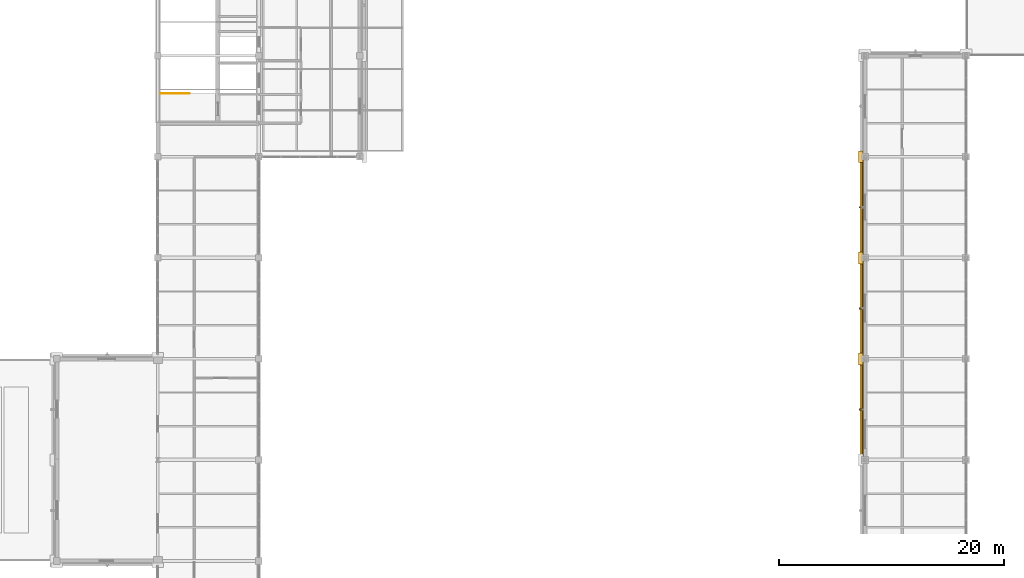
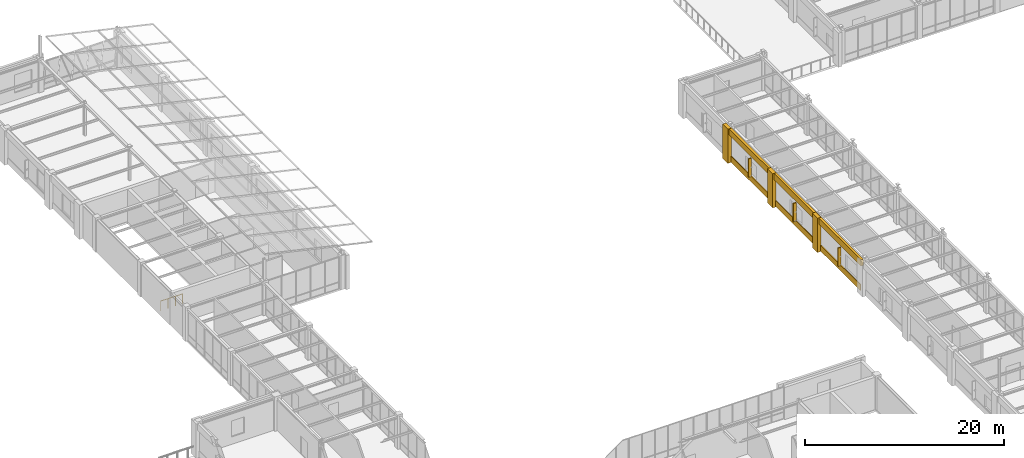
# One storey, part 95 of 97: 9 coverings, 3 shading devices, 1 railing.
"""IFC4 building model written with IfcOpenShell, lengths in metres."""

from ifc_helpers import new_model, si_unit, direction, frame, origin, origin_2d, place, context, subcontext, project, spatial, rectangle, circle, extrude, material, layer, layer_set, type_object, element, save


model = new_model("IFC4")

# Units and contexts
model_context = context("Model", 3, precision=1e-05, world=origin(), true_north=direction((0.0, 1.0)))
body_context = subcontext(model_context, "Body", "Model", "MODEL_VIEW")
ifc_project = project(units=[si_unit("LENGTHUNIT", "METRE"), si_unit("AREAUNIT", "SQUARE_METRE"), si_unit("VOLUMEUNIT", "CUBIC_METRE"), si_unit("PLANEANGLEUNIT", "RADIAN"), si_unit("MASSUNIT", "GRAM", prefix="KILO")], contexts=[model_context])

# Site, building, storey
site_placement = place(None, origin())
site = spatial("IfcSite", under=ifc_project, at=site_placement, CompositionType="ELEMENT")
building_placement = place(site_placement, origin())
building = spatial("IfcBuilding", under=site, at=building_placement, Name="Lykobir Media Centre", CompositionType="ELEMENT")
storey_placement = place(building_placement, frame((0.0, 0.0, 23.39990234375)))
storey = spatial("IfcBuildingStorey", under=building, at=storey_placement, Name="L05", CompositionType="ELEMENT", Elevation=23.39990234375)

# Coverings
ifc_material_1 = material(Name="Glazed Turquoise Terracotta", Category="masonry")
ifc_layer_1 = layer(ifc_material_1, 0.0400390625, Name="Glazed Turquoise Terracotta")
ifc_layer_set_1 = layer_set([ifc_layer_1], Name="Glazed Turquoise Terracotta")
covering_type_1 = type_object("IfcCoveringType", Name="CLD-TERR", PredefinedType="CLADDING", material=ifc_layer_set_1)
for number, where, z_axis, x_axis, name in (
    (1, (89.803955078125, 40.5, 0.080078125), (0.0, 0.0, 1.0), (0.0, -1.0, 0.0), "Facade spandrel apron 743"),
    (2, (89.803955078125, 49.5, 0.080078125), (0.0, 0.0, 1.0), (0.0, -1.0, 0.0), "Facade spandrel apron 746"),
    (3, (89.803955078125, 58.5, 0.080078125), (0.0, 0.0, 1.0), (0.0, -1.0, 0.0), "Facade spandrel apron 749"),
):
    element("IfcCovering", number, at=place(storey_placement, frame(where, z_axis=z_axis, x_axis=x_axis)), inside=storey, type_object=covering_type_1, Name=name, PredefinedType="CLADDING", context=body_context, shape_type="SweptSolid", body=[
        extrude(rectangle(XDim=8.030029296875, YDim=0.10009765625, at=origin_2d()), origin(), (0.0, 0.0, 1.0), 0.719970703125),
    ])
ifc_material_2 = material(Name="Honed Travertine Stone", Category="masonry")
ifc_layer_2 = layer(ifc_material_2, 0.050048828125, Name="Honed Travertine Stone")
ifc_layer_set_2 = layer_set([ifc_layer_2], Name="Honed Travertine Stone")
covering_type_2 = type_object("IfcCoveringType", Name="CLD-TRAV", PredefinedType="CLADDING", material=ifc_layer_set_2)
covering_1_placement = place(storey_placement, frame((89.6201171875, 45.0, 0.0), z_axis=(0.0, 0.0, 1.0), x_axis=(0.0, -1.0, 0.0)))
element("IfcCovering", 4, at=covering_1_placement, inside=storey, type_object=covering_type_2, Name="Travertine column pier 741", PredefinedType="CLADDING", context=body_context, shape_type="SweptSolid", body=[
    extrude(rectangle(XDim=1.06005859375, YDim=0.39990234375, at=origin_2d()), origin(), (0.0, 0.0, 1.0), 4.199951171875),
])
covering_2_placement = place(storey_placement, frame((89.699951171875, 40.5, 3.43994140625), z_axis=(0.0, 0.0, 1.0), x_axis=(0.0, -1.0, 0.0)))
element("IfcCovering", 5, at=covering_2_placement, inside=storey, type_object=covering_type_2, Name="Travertine spandrel stringcourse 742", PredefinedType="CLADDING", context=body_context, shape_type="SweptSolid", body=[
    extrude(rectangle(XDim=9.0, YDim=0.280029296875, at=origin_2d()), origin(), (0.0, 0.0, 1.0), 0.760009765625),
])
covering_3_placement = place(storey_placement, frame((89.6201171875, 54.0, 0.0), z_axis=(0.0, 0.0, 1.0), x_axis=(0.0, -1.0, 0.0)))
element("IfcCovering", 6, at=covering_3_placement, inside=storey, type_object=covering_type_2, Name="Travertine column pier 744", PredefinedType="CLADDING", context=body_context, shape_type="SweptSolid", body=[
    extrude(rectangle(XDim=1.06005859375, YDim=0.39990234375, at=origin_2d()), origin(), (0.0, 0.0, 1.0), 4.199951171875),
])
covering_4_placement = place(storey_placement, frame((89.699951171875, 49.5, 3.43994140625), z_axis=(0.0, 0.0, 1.0), x_axis=(0.0, -1.0, 0.0)))
element("IfcCovering", 7, at=covering_4_placement, inside=storey, type_object=covering_type_2, Name="Travertine spandrel stringcourse 745", PredefinedType="CLADDING", context=body_context, shape_type="SweptSolid", body=[
    extrude(rectangle(XDim=9.0, YDim=0.280029296875, at=origin_2d()), origin(), (0.0, 0.0, 1.0), 0.760009765625),
])
covering_5_placement = place(storey_placement, frame((89.6201171875, 63.0, 0.0), z_axis=(0.0, 0.0, 1.0), x_axis=(0.0, -1.0, 0.0)))
element("IfcCovering", 8, at=covering_5_placement, inside=storey, type_object=covering_type_2, Name="Travertine column pier 747", PredefinedType="CLADDING", context=body_context, shape_type="SweptSolid", body=[
    extrude(rectangle(XDim=1.06005859375, YDim=0.39990234375, at=origin_2d()), origin(), (0.0, 0.0, 1.0), 4.199951171875),
])
covering_6_placement = place(storey_placement, frame((89.699951171875, 58.5, 3.43994140625), z_axis=(0.0, 0.0, 1.0), x_axis=(0.0, -1.0, 0.0)))
element("IfcCovering", 9, at=covering_6_placement, inside=storey, type_object=covering_type_2, Name="Travertine spandrel stringcourse 748", PredefinedType="CLADDING", context=body_context, shape_type="SweptSolid", body=[
    extrude(rectangle(XDim=9.0, YDim=0.280029296875, at=origin_2d()), origin(), (0.0, 0.0, 1.0), 0.760009765625),
])

# Railing
ifc_material_3 = material(Name="Steel S355", Category="steel")
railing_type = type_object("IfcRailingType", Name="GR-1200", PredefinedType="BALUSTRADE", material=ifc_material_3)
railing_placement = place(storey_placement, frame((27.27001953125, 68.6298828125, 0.0)))
element("IfcRailing", 10, at=railing_placement, inside=storey, type_object=railing_type, Name="ST-3 L05 arrival well guard", PredefinedType="BALUSTRADE", context=body_context, shape_type="SweptSolid", body=[
    extrude(circle(Radius=0.02392578125, at=origin_2d()), frame((0.0, 0.0, 1.17578125), z_axis=(1.0, 0.0, 0.0), x_axis=(0.0, 1.0, 0.0)), (0.0, 0.0, 1.0), 2.5400390625),
    extrude(circle(Radius=0.02099609375, at=origin_2d()), origin(), (0.0, 0.0, 1.0), 1.15185546875),
    extrude(circle(Radius=0.02099609375, at=origin_2d()), frame((0.8466796875, 0.0, 0.0)), (0.0, 0.0, 1.0), 1.15185546875),
    extrude(circle(Radius=0.02099609375, at=origin_2d()), frame((1.693359375, 0.0, 0.0)), (0.0, 0.0, 1.0), 1.15185546875),
    extrude(circle(Radius=0.02099609375, at=origin_2d()), frame((2.5400390625, 0.0, 0.0)), (0.0, 0.0, 1.0), 1.15185546875),
])

# Shading devices
shading_device_type = type_object("IfcShadingDeviceType", Name="SHD-FIN", PredefinedType="USERDEFINED", material=ifc_material_1)
for number, where, z_axis, x_axis, name in (
    (11, (89.64990234375, 40.5, 0.72509765625), (0.0, 0.0, 1.0), (0.0, -1.0, 0.0), "Terracotta shading fin 84"),
    (12, (89.64990234375, 49.5, 0.72509765625), (0.0, 0.0, 1.0), (0.0, -1.0, 0.0), "Terracotta shading fin 85"),
    (13, (89.64990234375, 58.5, 0.72509765625), (0.0, 0.0, 1.0), (0.0, -1.0, 0.0), "Terracotta shading fin 86"),
):
    element("IfcShadingDevice", number, at=place(storey_placement, frame(where, z_axis=z_axis, x_axis=x_axis)), inside=storey, type_object=shading_device_type, Name=name, ObjectType="FIN", PredefinedType="USERDEFINED", context=body_context, shape_type="SweptSolid", body=[
        extrude(rectangle(XDim=0.1201171875, YDim=0.35009765625, at=origin_2d()), origin(), (0.0, 0.0, 1.0), 2.25),
    ])

save(model, "model.ifc")
